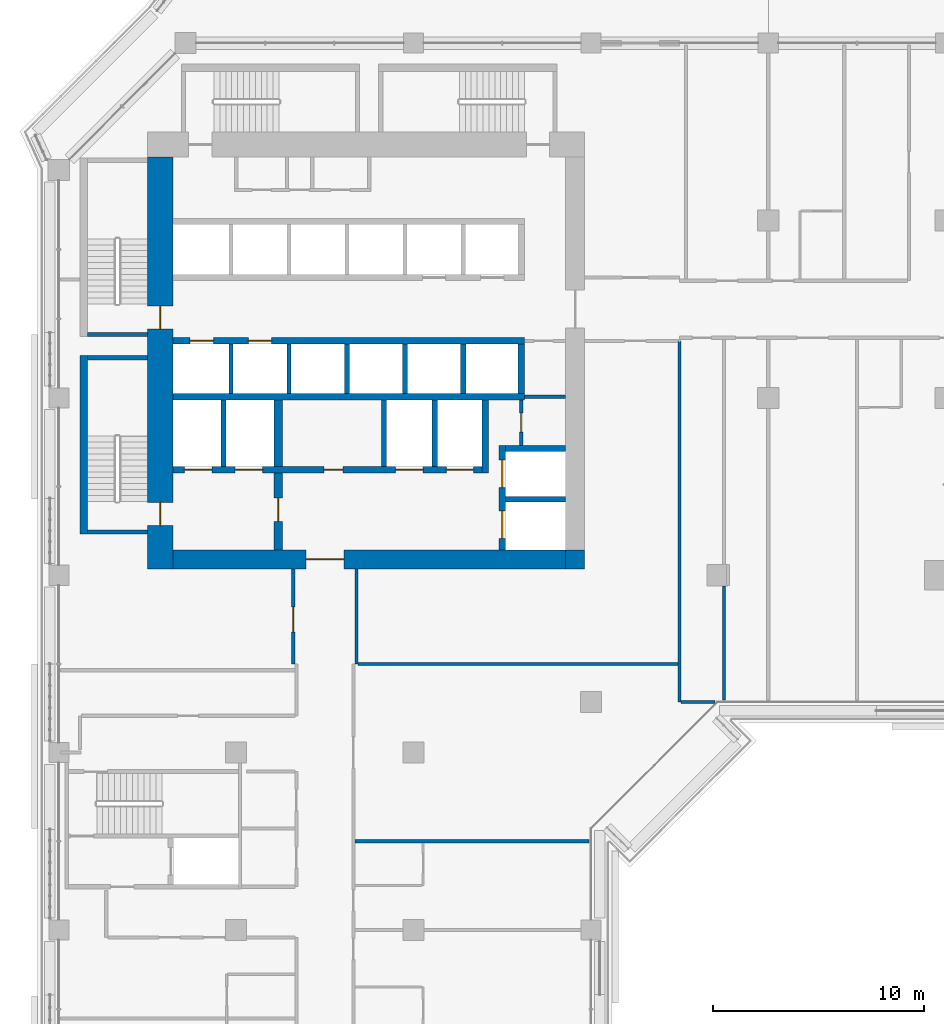
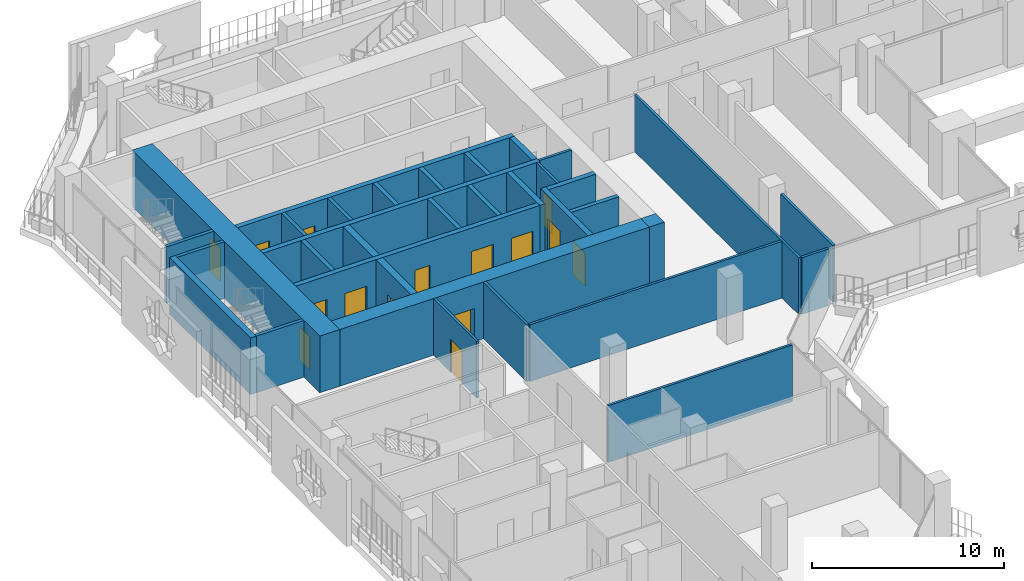
# One storey, part 12 of 24: 34 walls, 15 doors, 15 openings.
"""IFC4 building model written with IfcOpenShell, lengths in metres."""

from ifc_helpers import new_model, si_unit, direction, frame, frame_2d, origin, place, context, subcontext, project, spatial, rectangle, extrude, material, layer, layer_set, type_object, element, fill, save


model = new_model("IFC4")

# Units and contexts
model_context = context("Model", 3, precision=1e-05, world=origin(), true_north=direction((0.0, 1.0)))
body_context = subcontext(model_context, "Body", "Model", "MODEL_VIEW")
ifc_project = project(units=[si_unit("LENGTHUNIT", "METRE"), si_unit("AREAUNIT", "SQUARE_METRE"), si_unit("VOLUMEUNIT", "CUBIC_METRE"), si_unit("PLANEANGLEUNIT", "RADIAN"), si_unit("MASSUNIT", "GRAM", prefix="KILO")], contexts=[model_context])

# Site, building, storey
site_placement = place(None, origin())
site = spatial("IfcSite", under=ifc_project, at=site_placement, CompositionType="ELEMENT")
building_placement = place(site_placement, origin())
building = spatial("IfcBuilding", under=site, at=building_placement, Name="Kawkab Arch Medical Tower", CompositionType="ELEMENT")
storey_placement = place(building_placement, frame((0.0, 0.0, 162.60009765625)))
storey = spatial("IfcBuildingStorey", under=building, at=storey_placement, Name="L37", CompositionType="ELEMENT", Elevation=162.60009765625)

# Wall, openings, doors
ifc_material_1 = material(Name="Concrete C55/67", Category="concrete")
ifc_layer_1 = layer(ifc_material_1, 1.199951171875)
ifc_layer_set_1 = layer_set([ifc_layer_1], Name="Concrete C55/67")
wall_type_1 = type_object("IfcWallType", Name="Core ring wall 1200 C55/67", PredefinedType="SHEAR", material=ifc_layer_set_1)
wall_1_placement = place(storey_placement, frame((4.800048828125, -24.89990234375, 0.0), z_axis=(0.0, 0.0, 1.0), x_axis=(0.0, 1.0, 0.0)))
wall_1 = element("IfcWall", 1, at=wall_1_placement, inside=storey, type_object=wall_type_1, Name="L37 core wall", PredefinedType="SHEAR", context=body_context, shape_type="SweptSolid", body=[
    extrude(rectangle(XDim=19.5, YDim=1.199951171875, at=frame_2d((9.75, 0.0))), origin(), (0.0, 0.0, 1.0), 3.599853515625),
])
opening_1_placement = place(wall_1_placement, frame((11.35009765625, 0.0, 0.0)))
opening_1 = element("IfcOpeningElement", 2, at=opening_1_placement, cuts=wall_1, Name="Opening SD", PredefinedType="OPENING", context=body_context, shape_type="SweptSolid", body=[
    extrude(rectangle(XDim=1.10009765625, YDim=2.10009765625, at=frame_2d((0.550048828125, 1.050048828125))), frame((0.0, 0.60986328125, 0.0), z_axis=(0.0, -1.0, 0.0), x_axis=(1.0, 0.0, 0.0)), (0.0, 0.0, 1.0), 1.219970703125),
])
opening_2_placement = place(wall_1_placement, frame((2.050048828125, 0.0, 0.0)))
opening_2 = element("IfcOpeningElement", 3, at=opening_2_placement, cuts=wall_1, Name="Opening SD", PredefinedType="OPENING", context=body_context, shape_type="SweptSolid", body=[
    extrude(rectangle(XDim=1.10009765625, YDim=2.10009765625, at=frame_2d((0.550048828125, 1.050048828125))), frame((0.0, 0.60986328125, 0.0), z_axis=(0.0, -1.0, 0.0), x_axis=(1.0, 0.0, 0.0)), (0.0, 0.0, 1.0), 1.219970703125),
])
ifc_material_2 = material(Name="Hollow metal fire door leaf")
door_type_1 = type_object("IfcDoorType", Name="Exit stair door 1100", OperationType="SINGLE_SWING_LEFT", PredefinedType="DOOR", material=ifc_material_2)
door_1_placement = place(opening_1_placement, origin())
door_1 = element("IfcDoor", 4, at=door_1_placement, inside=storey, type_object=door_type_1, Name="L37 Exit stair ST1 door", OperationType="SINGLE_SWING_LEFT", OverallHeight=2.10009765625, OverallWidth=1.10009765625, PredefinedType="DOOR", context=body_context, shape_type="SweptSolid", body=[
    extrude(rectangle(XDim=1.10009765625, YDim=2.10009765625, at=frame_2d((0.550048828125, 1.050048828125))), frame((0.0, 0.02490234375, 0.0), z_axis=(0.0, -1.0, 0.0), x_axis=(1.0, 0.0, 0.0)), (0.0, 0.0, 1.0), 0.050048828125),
])
fill(opening_1, door_1)
door_2_placement = place(opening_2_placement, origin())
door_2 = element("IfcDoor", 5, at=door_2_placement, inside=storey, type_object=door_type_1, Name="L37 Exit stair ST2 door", OperationType="SINGLE_SWING_LEFT", OverallHeight=2.10009765625, OverallWidth=1.10009765625, PredefinedType="DOOR", context=body_context, shape_type="SweptSolid", body=[
    extrude(rectangle(XDim=1.10009765625, YDim=2.10009765625, at=frame_2d((0.550048828125, 1.050048828125))), frame((0.0, 0.02490234375, 0.0), z_axis=(0.0, -1.0, 0.0), x_axis=(1.0, 0.0, 0.0)), (0.0, 0.0, 1.0), 0.050048828125),
])
fill(opening_2, door_2)

# Wall, opening, door
ifc_material_3 = material(Name="Concrete C55/67", Category="concrete")
ifc_layer_2 = layer(ifc_material_3, 0.89990234375)
ifc_layer_set_2 = layer_set([ifc_layer_2], Name="Concrete C55/67")
wall_type_2 = type_object("IfcWallType", Name="Core ring wall 900 C55/67", PredefinedType="SHEAR", material=ifc_layer_set_2)
wall_2_placement = place(storey_placement, frame((5.39990234375, -24.449951171875, 0.0), z_axis=(0.0, 0.0, 1.0), x_axis=(1.0, 0.0, 0.0)))
wall_2 = element("IfcWall", 6, at=wall_2_placement, inside=storey, type_object=wall_type_2, Name="L37 core wall", PredefinedType="SHEAR", context=body_context, shape_type="SweptSolid", body=[
    extrude(rectangle(XDim=18.60009765625, YDim=0.89990234375, at=frame_2d((9.300048828125, 0.0))), origin(), (0.0, 0.0, 1.0), 3.599853515625),
])
opening_3_placement = place(wall_2_placement, frame((6.300048828125, 0.0, 0.0)))
opening_3 = element("IfcOpeningElement", 7, at=opening_3_placement, cuts=wall_2, Name="Opening PD", PredefinedType="OPENING", context=body_context, shape_type="SweptSolid", body=[
    extrude(rectangle(XDim=1.800048828125, YDim=2.10009765625, at=frame_2d((0.89990234375, 1.050048828125))), frame((0.0, 0.4599609375, 0.0), z_axis=(0.0, -1.0, 0.0), x_axis=(1.0, 0.0, 0.0)), (0.0, 0.0, 1.0), 0.919921875),
])
ifc_material_4 = material(Name="Hollow metal fire door leaf")
door_type_2 = type_object("IfcDoorType", Name="Core entrance doors 1800", OperationType="DOUBLE_DOOR_SINGLE_SWING", PredefinedType="DOOR", material=ifc_material_4)
door_3_placement = place(opening_3_placement, origin())
door_3 = element("IfcDoor", 8, at=door_3_placement, inside=storey, type_object=door_type_2, Name="L37 South entrance doors", OperationType="DOUBLE_DOOR_SINGLE_SWING", OverallHeight=2.10009765625, OverallWidth=1.800048828125, PredefinedType="DOOR", context=body_context, shape_type="SweptSolid", body=[
    extrude(rectangle(XDim=1.800048828125, YDim=2.10009765625, at=frame_2d((0.89990234375, 1.050048828125))), frame((0.0, 0.02490234375, 0.0), z_axis=(0.0, -1.0, 0.0), x_axis=(1.0, 0.0, 0.0)), (0.0, 0.0, 1.0), 0.050048828125),
])
fill(opening_3, door_3)

# Wall
wall_3_placement = place(storey_placement, frame((24.449951171875, -24.89990234375, 0.0), z_axis=(0.0, 0.0, 1.0), x_axis=(0.0, 1.0, 0.0)))
element("IfcWall", 9, at=wall_3_placement, inside=storey, type_object=wall_type_2, Name="L37 core wall", PredefinedType="SHEAR", context=body_context, shape_type="SweptSolid", body=[
    extrude(rectangle(XDim=0.89990234375, YDim=0.89990234375, at=frame_2d((0.449951171875, 0.0))), origin(), (0.0, 0.0, 1.0), 3.599853515625),
])

# Wall, opening, door
ifc_material_5 = material(Name="Gypsum board on steel studs", Category="steel")
ifc_layer_3 = layer(ifc_material_5, 0.14990234375)
ifc_layer_set_3 = layer_set([ifc_layer_3], Name="Gypsum board on steel studs")
wall_type_3 = type_object("IfcWallType", Name="Core room partition 150", PredefinedType="PARTITIONING", material=ifc_layer_set_3)
wall_4_placement = place(storey_placement, frame((21.89990234375, -19.050048828125, 0.0), z_axis=(0.0, 0.0, 1.0), x_axis=(0.0, 1.0, 0.0)))
wall_4 = element("IfcWall", 10, at=wall_4_placement, inside=storey, type_object=wall_type_3, Name="L37 core room partition", PredefinedType="PARTITIONING", context=body_context, shape_type="SweptSolid", body=[
    extrude(rectangle(XDim=2.150146484375, YDim=0.14990234375, at=frame_2d((1.0751953125, 0.0))), origin(), (0.0, 0.0, 1.0), 3.599853515625),
])
opening_4_placement = place(wall_4_placement, frame((0.625, 0.0, 0.0)))
opening_4 = element("IfcOpeningElement", 11, at=opening_4_placement, cuts=wall_4, Name="Opening RD", PredefinedType="OPENING", context=body_context, shape_type="SweptSolid", body=[
    extrude(rectangle(XDim=0.89990234375, YDim=2.10009765625, at=frame_2d((0.449951171875, 1.050048828125))), frame((0.0, 0.0849609375, 0.0), z_axis=(0.0, -1.0, 0.0), x_axis=(1.0, 0.0, 0.0)), (0.0, 0.0, 1.0), 0.169921875),
])
ifc_material_6 = material(Name="Hollow metal fire door leaf")
door_type_3 = type_object("IfcDoorType", Name="Core room door 900", OperationType="SINGLE_SWING_LEFT", PredefinedType="DOOR", material=ifc_material_6)
door_4_placement = place(opening_4_placement, origin())
door_4 = element("IfcDoor", 12, at=door_4_placement, inside=storey, type_object=door_type_3, Name="L37 Accessible WC door", OperationType="SINGLE_SWING_LEFT", OverallHeight=2.10009765625, OverallWidth=0.89990234375, PredefinedType="DOOR", context=body_context, shape_type="SweptSolid", body=[
    extrude(rectangle(XDim=0.89990234375, YDim=2.10009765625, at=frame_2d((0.449951171875, 1.050048828125))), frame((0.0, 0.02490234375, 0.0), z_axis=(0.0, -1.0, 0.0), x_axis=(1.0, 0.0, 0.0)), (0.0, 0.0, 1.0), 0.050048828125),
])
fill(opening_4, door_4)

# Walls
wall_5_placement = place(storey_placement, frame((22.050048828125, -16.75, 0.0), z_axis=(0.0, 0.0, 1.0), x_axis=(1.0, 0.0, 0.0)))
element("IfcWall", 13, at=wall_5_placement, inside=storey, type_object=wall_type_3, Name="L37 core room partition", PredefinedType="PARTITIONING", context=body_context, shape_type="SweptSolid", body=[
    extrude(rectangle(XDim=1.949951171875, YDim=0.14990234375, at=frame_2d((0.97509765625, 0.0))), origin(), (0.0, 0.0, 1.0), 3.599853515625),
])
ifc_material_7 = material(Name="Concrete C60/75", Category="concrete")
ifc_layer_4 = layer(ifc_material_7, 0.25)
ifc_layer_set_4 = layer_set([ifc_layer_4], Name="Concrete C60/75")
wall_type_4 = type_object("IfcWallType", Name="Core shear wall 250 C60/75", PredefinedType="SHEAR", material=ifc_layer_set_4)
wall_6_placement = place(storey_placement, frame((21.14990234375, -21.60009765625, 0.0), z_axis=(0.0, 0.0, 1.0), x_axis=(1.0, 0.0, 0.0)))
element("IfcWall", 14, at=wall_6_placement, inside=storey, type_object=wall_type_4, Name="L37 core shear wall", PredefinedType="SHEAR", context=body_context, shape_type="SweptSolid", body=[
    extrude(rectangle(XDim=2.85009765625, YDim=0.25, at=frame_2d((1.425048828125, 0.0))), origin(), (0.0, 0.0, 1.0), 3.599853515625),
])
for number, where, z_axis, x_axis, name in (
    (15, (7.800048828125, -20.050048828125, 0.0), (0.0, 0.0, 1.0), (0.0, 1.0, 0.0), "L37 core shear wall"),
    (16, (15.39990234375, -20.050048828125, 0.0), (0.0, 0.0, 1.0), (0.0, 1.0, 0.0), "L37 core shear wall"),
    (17, (17.800048828125, -20.050048828125, 0.0), (0.0, 0.0, 1.0), (0.0, 1.0, 0.0), "L37 core shear wall"),
):
    element("IfcWall", number, at=place(storey_placement, frame(where, z_axis=z_axis, x_axis=x_axis)), inside=storey, type_object=wall_type_4, Name=name, PredefinedType="SHEAR", context=body_context, shape_type="SweptSolid", body=[
        extrude(rectangle(XDim=3.150146484375, YDim=0.25, at=frame_2d((1.5751953125, 0.0))), origin(), (0.0, 0.0, 1.0), 3.599853515625),
    ])
for number, where, z_axis, x_axis, name in (
    (18, (13.64990234375, -16.60009765625, 0.0), (0.0, 0.0, 1.0), (0.0, 1.0, 0.0), "L37 core shear wall"),
    (19, (16.39990234375, -16.60009765625, 0.0), (0.0, 0.0, 1.0), (0.0, 1.0, 0.0), "L37 core shear wall"),
    (20, (19.14990234375, -16.60009765625, 0.0), (0.0, 0.0, 1.0), (0.0, 1.0, 0.0), "L37 core shear wall"),
):
    element("IfcWall", number, at=place(storey_placement, frame(where, z_axis=z_axis, x_axis=x_axis)), inside=storey, type_object=wall_type_4, Name=name, PredefinedType="SHEAR", context=body_context, shape_type="SweptSolid", body=[
        extrude(rectangle(XDim=2.35009765625, YDim=0.25, at=frame_2d((1.175048828125, 0.0))), origin(), (0.0, 0.0, 1.0), 3.599853515625),
    ])

# Wall, openings, doors
ifc_material_8 = material(Name="Concrete C60/75", Category="concrete")
ifc_layer_5 = layer(ifc_material_8, 0.300048828125)
ifc_layer_set_5 = layer_set([ifc_layer_5], Name="Concrete C60/75")
wall_type_5 = type_object("IfcWallType", Name="Core shear wall 300 C60/75", PredefinedType="SHEAR", material=ifc_layer_set_5)
wall_7_placement = place(storey_placement, frame((5.39990234375, -14.10009765625, 0.0), z_axis=(0.0, 0.0, 1.0), x_axis=(1.0, 0.0, 0.0)))
wall_7 = element("IfcWall", 21, at=wall_7_placement, inside=storey, type_object=wall_type_5, Name="L37 core shear wall", PredefinedType="SHEAR", context=body_context, shape_type="SweptSolid", body=[
    extrude(rectangle(XDim=16.650146484375, YDim=0.300048828125, at=frame_2d((8.3251953125, 0.0))), origin(), (0.0, 0.0, 1.0), 3.599853515625),
])
opening_5_placement = place(wall_7_placement, frame((0.824951171875, 0.0, 0.0)))
opening_5 = element("IfcOpeningElement", 22, at=opening_5_placement, cuts=wall_7, Name="Opening LD1", PredefinedType="OPENING", context=body_context, shape_type="SweptSolid", body=[
    extrude(rectangle(XDim=1.10009765625, YDim=2.10009765625, at=frame_2d((0.550048828125, 1.050048828125))), frame((0.0, 0.159912109375, 0.0), z_axis=(0.0, -1.0, 0.0), x_axis=(1.0, 0.0, 0.0)), (0.0, 0.0, 1.0), 0.320068359375),
])
opening_6_placement = place(wall_7_placement, frame((3.574951171875, 0.0, 0.0)))
opening_6 = element("IfcOpeningElement", 23, at=opening_6_placement, cuts=wall_7, Name="Opening LD1", PredefinedType="OPENING", context=body_context, shape_type="SweptSolid", body=[
    extrude(rectangle(XDim=1.10009765625, YDim=2.10009765625, at=frame_2d((0.550048828125, 1.050048828125))), frame((0.0, 0.159912109375, 0.0), z_axis=(0.0, -1.0, 0.0), x_axis=(1.0, 0.0, 0.0)), (0.0, 0.0, 1.0), 0.320068359375),
])
ifc_material_9 = material(Name="Stainless steel lift door leaf", Category="steel")
door_type_4 = type_object("IfcDoorType", Name="Lift landing door 1100", OperationType="DOUBLE_DOOR_SLIDING", PredefinedType="DOOR", material=ifc_material_9)
door_5_placement = place(opening_5_placement, origin())
door_5 = element("IfcDoor", 24, at=door_5_placement, inside=storey, type_object=door_type_4, Name="L37 Lift landing door MP3", OperationType="DOUBLE_DOOR_SLIDING", OverallHeight=2.10009765625, OverallWidth=1.10009765625, PredefinedType="DOOR", context=body_context, shape_type="SweptSolid", body=[
    extrude(rectangle(XDim=1.10009765625, YDim=2.10009765625, at=frame_2d((0.550048828125, 1.050048828125))), frame((0.0, 0.02490234375, 0.0), z_axis=(0.0, -1.0, 0.0), x_axis=(1.0, 0.0, 0.0)), (0.0, 0.0, 1.0), 0.050048828125),
])
fill(opening_5, door_5)
door_6_placement = place(opening_6_placement, origin())
door_6 = element("IfcDoor", 25, at=door_6_placement, inside=storey, type_object=door_type_4, Name="L37 Lift landing door MP4", OperationType="DOUBLE_DOOR_SLIDING", OverallHeight=2.10009765625, OverallWidth=1.10009765625, PredefinedType="DOOR", context=body_context, shape_type="SweptSolid", body=[
    extrude(rectangle(XDim=1.10009765625, YDim=2.10009765625, at=frame_2d((0.550048828125, 1.050048828125))), frame((0.0, 0.02490234375, 0.0), z_axis=(0.0, -1.0, 0.0), x_axis=(1.0, 0.0, 0.0)), (0.0, 0.0, 1.0), 0.050048828125),
])
fill(opening_6, door_6)

# Wall
wall_8_placement = place(storey_placement, frame((5.39990234375, -16.75, 0.0), z_axis=(0.0, 0.0, 1.0), x_axis=(1.0, 0.0, 0.0)))
element("IfcWall", 26, at=wall_8_placement, inside=storey, type_object=wall_type_5, Name="L37 core shear wall", PredefinedType="SHEAR", context=body_context, shape_type="SweptSolid", body=[
    extrude(rectangle(XDim=16.650146484375, YDim=0.300048828125, at=frame_2d((8.3251953125, 0.0))), origin(), (0.0, 0.0, 1.0), 3.599853515625),
])

# Wall, openings, doors
wall_9_placement = place(storey_placement, frame((5.39990234375, -20.199951171875, 0.0), z_axis=(0.0, 0.0, 1.0), x_axis=(1.0, 0.0, 0.0)))
wall_9 = element("IfcWall", 27, at=wall_9_placement, inside=storey, type_object=wall_type_5, Name="L37 core shear wall", PredefinedType="SHEAR", context=body_context, shape_type="SweptSolid", body=[
    extrude(rectangle(XDim=14.650146484375, YDim=0.300048828125, at=frame_2d((7.3251953125, 0.0))), origin(), (0.0, 0.0, 1.0), 3.599853515625),
])
opening_7_placement = place(wall_9_placement, frame((10.550048828125, 0.0, 0.0)))
opening_7 = element("IfcOpeningElement", 28, at=opening_7_placement, cuts=wall_9, Name="Opening LD2", PredefinedType="OPENING", context=body_context, shape_type="SweptSolid", body=[
    extrude(rectangle(XDim=1.300048828125, YDim=2.10009765625, at=frame_2d((0.64990234375, 1.050048828125))), frame((0.0, 0.159912109375, 0.0), z_axis=(0.0, -1.0, 0.0), x_axis=(1.0, 0.0, 0.0)), (0.0, 0.0, 1.0), 0.320068359375),
])
opening_8_placement = place(wall_9_placement, frame((12.949951171875, 0.0, 0.0)))
opening_8 = element("IfcOpeningElement", 29, at=opening_8_placement, cuts=wall_9, Name="Opening LD2", PredefinedType="OPENING", context=body_context, shape_type="SweptSolid", body=[
    extrude(rectangle(XDim=1.300048828125, YDim=2.10009765625, at=frame_2d((0.64990234375, 1.050048828125))), frame((0.0, 0.159912109375, 0.0), z_axis=(0.0, -1.0, 0.0), x_axis=(1.0, 0.0, 0.0)), (0.0, 0.0, 1.0), 0.320068359375),
])
opening_9_placement = place(wall_9_placement, frame((0.550048828125, 0.0, 0.0)))
opening_9 = element("IfcOpeningElement", 30, at=opening_9_placement, cuts=wall_9, Name="Opening LD2", PredefinedType="OPENING", context=body_context, shape_type="SweptSolid", body=[
    extrude(rectangle(XDim=1.300048828125, YDim=2.10009765625, at=frame_2d((0.64990234375, 1.050048828125))), frame((0.0, 0.159912109375, 0.0), z_axis=(0.0, -1.0, 0.0), x_axis=(1.0, 0.0, 0.0)), (0.0, 0.0, 1.0), 0.320068359375),
])
opening_10_placement = place(wall_9_placement, frame((2.949951171875, 0.0, 0.0)))
opening_10 = element("IfcOpeningElement", 31, at=opening_10_placement, cuts=wall_9, Name="Opening LD2", PredefinedType="OPENING", context=body_context, shape_type="SweptSolid", body=[
    extrude(rectangle(XDim=1.300048828125, YDim=2.10009765625, at=frame_2d((0.64990234375, 1.050048828125))), frame((0.0, 0.159912109375, 0.0), z_axis=(0.0, -1.0, 0.0), x_axis=(1.0, 0.0, 0.0)), (0.0, 0.0, 1.0), 0.320068359375),
])
opening_11_placement = place(wall_9_placement, frame((7.14990234375, 0.0, 0.0)))
opening_11 = element("IfcOpeningElement", 32, at=opening_11_placement, cuts=wall_9, Name="Opening RD", PredefinedType="OPENING", context=body_context, shape_type="SweptSolid", body=[
    extrude(rectangle(XDim=0.89990234375, YDim=2.10009765625, at=frame_2d((0.449951171875, 1.050048828125))), frame((0.0, 0.159912109375, 0.0), z_axis=(0.0, -1.0, 0.0), x_axis=(1.0, 0.0, 0.0)), (0.0, 0.0, 1.0), 0.320068359375),
])
door_7_placement = place(opening_11_placement, origin())
door_7 = element("IfcDoor", 33, at=door_7_placement, inside=storey, type_object=door_type_3, Name="L37 Linen store door", OperationType="SINGLE_SWING_LEFT", OverallHeight=2.10009765625, OverallWidth=0.89990234375, PredefinedType="DOOR", context=body_context, shape_type="SweptSolid", body=[
    extrude(rectangle(XDim=0.89990234375, YDim=2.10009765625, at=frame_2d((0.449951171875, 1.050048828125))), frame((0.0, 0.02490234375, 0.0), z_axis=(0.0, -1.0, 0.0), x_axis=(1.0, 0.0, 0.0)), (0.0, 0.0, 1.0), 0.050048828125),
])
fill(opening_11, door_7)
ifc_material_10 = material(Name="Stainless steel lift door leaf", Category="steel")
door_type_5 = type_object("IfcDoorType", Name="Lift landing door 1300", OperationType="DOUBLE_DOOR_SLIDING", PredefinedType="DOOR", material=ifc_material_10)
door_8_placement = place(opening_7_placement, origin())
door_8 = element("IfcDoor", 34, at=door_8_placement, inside=storey, type_object=door_type_5, Name="L37 Lift landing door BD3", OperationType="DOUBLE_DOOR_SLIDING", OverallHeight=2.10009765625, OverallWidth=1.300048828125, PredefinedType="DOOR", context=body_context, shape_type="SweptSolid", body=[
    extrude(rectangle(XDim=1.300048828125, YDim=2.10009765625, at=frame_2d((0.64990234375, 1.050048828125))), frame((0.0, 0.02490234375, 0.0), z_axis=(0.0, -1.0, 0.0), x_axis=(1.0, 0.0, 0.0)), (0.0, 0.0, 1.0), 0.050048828125),
])
fill(opening_7, door_8)
door_9_placement = place(opening_8_placement, origin())
door_9 = element("IfcDoor", 35, at=door_9_placement, inside=storey, type_object=door_type_5, Name="L37 Lift landing door BD4", OperationType="DOUBLE_DOOR_SLIDING", OverallHeight=2.10009765625, OverallWidth=1.300048828125, PredefinedType="DOOR", context=body_context, shape_type="SweptSolid", body=[
    extrude(rectangle(XDim=1.300048828125, YDim=2.10009765625, at=frame_2d((0.64990234375, 1.050048828125))), frame((0.0, 0.02490234375, 0.0), z_axis=(0.0, -1.0, 0.0), x_axis=(1.0, 0.0, 0.0)), (0.0, 0.0, 1.0), 0.050048828125),
])
fill(opening_8, door_9)
door_10_placement = place(opening_9_placement, origin())
door_10 = element("IfcDoor", 36, at=door_10_placement, inside=storey, type_object=door_type_5, Name="L37 Lift landing door FL1", OperationType="DOUBLE_DOOR_SLIDING", OverallHeight=2.10009765625, OverallWidth=1.300048828125, PredefinedType="DOOR", context=body_context, shape_type="SweptSolid", body=[
    extrude(rectangle(XDim=1.300048828125, YDim=2.10009765625, at=frame_2d((0.64990234375, 1.050048828125))), frame((0.0, 0.02490234375, 0.0), z_axis=(0.0, -1.0, 0.0), x_axis=(1.0, 0.0, 0.0)), (0.0, 0.0, 1.0), 0.050048828125),
])
fill(opening_9, door_10)
door_11_placement = place(opening_10_placement, origin())
door_11 = element("IfcDoor", 37, at=door_11_placement, inside=storey, type_object=door_type_5, Name="L37 Lift landing door FL2", OperationType="DOUBLE_DOOR_SLIDING", OverallHeight=2.10009765625, OverallWidth=1.300048828125, PredefinedType="DOOR", context=body_context, shape_type="SweptSolid", body=[
    extrude(rectangle(XDim=1.300048828125, YDim=2.10009765625, at=frame_2d((0.64990234375, 1.050048828125))), frame((0.0, 0.02490234375, 0.0), z_axis=(0.0, -1.0, 0.0), x_axis=(1.0, 0.0, 0.0)), (0.0, 0.0, 1.0), 0.050048828125),
])
fill(opening_10, door_11)

# Walls
wall_10_placement = place(storey_placement, frame((20.199951171875, -20.35009765625, 0.0), z_axis=(0.0, 0.0, 1.0), x_axis=(0.0, 1.0, 0.0)))
element("IfcWall", 38, at=wall_10_placement, inside=storey, type_object=wall_type_5, Name="L37 core shear wall", PredefinedType="SHEAR", context=body_context, shape_type="SweptSolid", body=[
    extrude(rectangle(XDim=3.4501953125, YDim=0.300048828125, at=frame_2d((1.72509765625, 0.0))), origin(), (0.0, 0.0, 1.0), 3.599853515625),
])
wall_11_placement = place(storey_placement, frame((21.89990234375, -16.60009765625, 0.0), z_axis=(0.0, 0.0, 1.0), x_axis=(0.0, 1.0, 0.0)))
element("IfcWall", 39, at=wall_11_placement, inside=storey, type_object=wall_type_5, Name="L37 core shear wall", PredefinedType="SHEAR", context=body_context, shape_type="SweptSolid", body=[
    extrude(rectangle(XDim=2.35009765625, YDim=0.300048828125, at=frame_2d((1.175048828125, 0.0))), origin(), (0.0, 0.0, 1.0), 3.599853515625),
])
wall_12_placement = place(storey_placement, frame((21.14990234375, -19.199951171875, 0.0), z_axis=(0.0, 0.0, 1.0), x_axis=(1.0, 0.0, 0.0)))
element("IfcWall", 40, at=wall_12_placement, inside=storey, type_object=wall_type_5, Name="L37 core shear wall", PredefinedType="SHEAR", context=body_context, shape_type="SweptSolid", body=[
    extrude(rectangle(XDim=2.85009765625, YDim=0.300048828125, at=frame_2d((1.425048828125, 0.0))), origin(), (0.0, 0.0, 1.0), 3.599853515625),
])

# Wall, openings, doors
wall_13_placement = place(storey_placement, frame((21.0, -24.0, 0.0), z_axis=(0.0, 0.0, 1.0), x_axis=(0.0, 1.0, 0.0)))
wall_13 = element("IfcWall", 41, at=wall_13_placement, inside=storey, type_object=wall_type_5, Name="L37 core shear wall", PredefinedType="SHEAR", context=body_context, shape_type="SweptSolid", body=[
    extrude(rectangle(XDim=4.949951171875, YDim=0.300048828125, at=frame_2d((2.47509765625, 0.0))), origin(), (0.0, 0.0, 1.0), 3.599853515625),
])
opening_12_placement = place(wall_13_placement, frame((2.949951171875, 0.0, 0.0)))
opening_12 = element("IfcOpeningElement", 42, at=opening_12_placement, cuts=wall_13, Name="Opening LD2", PredefinedType="OPENING", context=body_context, shape_type="SweptSolid", body=[
    extrude(rectangle(XDim=1.300048828125, YDim=2.10009765625, at=frame_2d((0.64990234375, 1.050048828125))), frame((0.0, 0.159912109375, 0.0), z_axis=(0.0, -1.0, 0.0), x_axis=(1.0, 0.0, 0.0)), (0.0, 0.0, 1.0), 0.320068359375),
])
opening_13_placement = place(wall_13_placement, frame((0.550048828125, 0.0, 0.0)))
opening_13 = element("IfcOpeningElement", 43, at=opening_13_placement, cuts=wall_13, Name="Opening LD2", PredefinedType="OPENING", context=body_context, shape_type="SweptSolid", body=[
    extrude(rectangle(XDim=1.300048828125, YDim=2.10009765625, at=frame_2d((0.64990234375, 1.050048828125))), frame((0.0, 0.159912109375, 0.0), z_axis=(0.0, -1.0, 0.0), x_axis=(1.0, 0.0, 0.0)), (0.0, 0.0, 1.0), 0.320068359375),
])
door_12_placement = place(opening_12_placement, origin())
door_12 = element("IfcDoor", 44, at=door_12_placement, inside=storey, type_object=door_type_5, Name="L37 Lift landing door BD1", OperationType="DOUBLE_DOOR_SLIDING", OverallHeight=2.10009765625, OverallWidth=1.300048828125, PredefinedType="DOOR", context=body_context, shape_type="SweptSolid", body=[
    extrude(rectangle(XDim=1.300048828125, YDim=2.10009765625, at=frame_2d((0.64990234375, 1.050048828125))), frame((0.0, 0.02490234375, 0.0), z_axis=(0.0, -1.0, 0.0), x_axis=(1.0, 0.0, 0.0)), (0.0, 0.0, 1.0), 0.050048828125),
])
fill(opening_12, door_12)
door_13_placement = place(opening_13_placement, origin())
door_13 = element("IfcDoor", 45, at=door_13_placement, inside=storey, type_object=door_type_5, Name="L37 Lift landing door BD2", OperationType="DOUBLE_DOOR_SLIDING", OverallHeight=2.10009765625, OverallWidth=1.300048828125, PredefinedType="DOOR", context=body_context, shape_type="SweptSolid", body=[
    extrude(rectangle(XDim=1.300048828125, YDim=2.10009765625, at=frame_2d((0.64990234375, 1.050048828125))), frame((0.0, 0.02490234375, 0.0), z_axis=(0.0, -1.0, 0.0), x_axis=(1.0, 0.0, 0.0)), (0.0, 0.0, 1.0), 0.050048828125),
])
fill(opening_13, door_13)

# Wall, opening, door
ifc_material_11 = material(Name="Concrete C60/75", Category="concrete")
ifc_layer_6 = layer(ifc_material_11, 0.39990234375)
ifc_layer_set_6 = layer_set([ifc_layer_6], Name="Concrete C60/75")
wall_type_6 = type_object("IfcWallType", Name="Core shear wall 400 C60/75", PredefinedType="SHEAR", material=ifc_layer_set_6)
wall_14_placement = place(storey_placement, frame((10.39990234375, -24.0, 0.0), z_axis=(0.0, 0.0, 1.0), x_axis=(0.0, 1.0, 0.0)))
wall_14 = element("IfcWall", 46, at=wall_14_placement, inside=storey, type_object=wall_type_6, Name="L37 core shear wall", PredefinedType="SHEAR", context=body_context, shape_type="SweptSolid", body=[
    extrude(rectangle(XDim=3.64990234375, YDim=0.39990234375, at=frame_2d((1.824951171875, 0.0))), origin(), (0.0, 0.0, 1.0), 3.599853515625),
])
opening_14_placement = place(wall_14_placement, frame((1.35009765625, 0.0, 0.0)))
opening_14 = element("IfcOpeningElement", 47, at=opening_14_placement, cuts=wall_14, Name="Opening FD", PredefinedType="OPENING", context=body_context, shape_type="SweptSolid", body=[
    extrude(rectangle(XDim=1.10009765625, YDim=2.10009765625, at=frame_2d((0.550048828125, 1.050048828125))), frame((0.0, 0.2099609375, 0.0), z_axis=(0.0, -1.0, 0.0), x_axis=(1.0, 0.0, 0.0)), (0.0, 0.0, 1.0), 0.419921875),
])
ifc_material_12 = material(Name="Hollow metal fire door leaf")
door_type_6 = type_object("IfcDoorType", Name="Firefighting lobby door 1100", OperationType="SINGLE_SWING_LEFT", PredefinedType="DOOR", material=ifc_material_12)
door_14_placement = place(opening_14_placement, origin())
door_14 = element("IfcDoor", 48, at=door_14_placement, inside=storey, type_object=door_type_6, Name="L37 Firefighting lobby door", OperationType="SINGLE_SWING_LEFT", OverallHeight=2.10009765625, OverallWidth=1.10009765625, PredefinedType="DOOR", context=body_context, shape_type="SweptSolid", body=[
    extrude(rectangle(XDim=1.10009765625, YDim=2.10009765625, at=frame_2d((0.550048828125, 1.050048828125))), frame((0.0, 0.02490234375, 0.0), z_axis=(0.0, -1.0, 0.0), x_axis=(1.0, 0.0, 0.0)), (0.0, 0.0, 1.0), 0.050048828125),
])
fill(opening_14, door_14)

# Walls
wall_15_placement = place(storey_placement, frame((10.39990234375, -20.050048828125, 0.0), z_axis=(0.0, 0.0, 1.0), x_axis=(0.0, 1.0, 0.0)))
element("IfcWall", 49, at=wall_15_placement, inside=storey, type_object=wall_type_6, Name="L37 core shear wall", PredefinedType="SHEAR", context=body_context, shape_type="SweptSolid", body=[
    extrude(rectangle(XDim=3.150146484375, YDim=0.39990234375, at=frame_2d((1.5751953125, 0.0))), origin(), (0.0, 0.0, 1.0), 3.599853515625),
])
ifc_material_13 = material(Name="Dense concrete blockwork", Category="masonry")
ifc_layer_7 = layer(ifc_material_13, 0.199951171875)
ifc_layer_set_7 = layer_set([ifc_layer_7], Name="Dense concrete blockwork")
wall_type_7 = type_object("IfcWallType", Name="Lift shaft partition 200", PredefinedType="PARTITIONING", material=ifc_layer_set_7)
for number, where, z_axis, x_axis, name in (
    (50, (8.14990234375, -16.60009765625, 0.0), (0.0, 0.0, 1.0), (0.0, 1.0, 0.0), "L37 lift shaft partition"),
    (51, (10.89990234375, -16.60009765625, 0.0), (0.0, 0.0, 1.0), (0.0, 1.0, 0.0), "L37 lift shaft partition"),
):
    element("IfcWall", number, at=place(storey_placement, frame(where, z_axis=z_axis, x_axis=x_axis)), inside=storey, type_object=wall_type_7, Name=name, PredefinedType="PARTITIONING", context=body_context, shape_type="SweptSolid", body=[
        extrude(rectangle(XDim=2.35009765625, YDim=0.199951171875, at=frame_2d((1.175048828125, 0.0))), origin(), (0.0, 0.0, 1.0), 3.599853515625),
    ])
ifc_material_14 = material(Name="Gypsum board partition on steel studs, mineral wool", Category="steel")
ifc_layer_8 = layer(ifc_material_14, 0.14990234375)
ifc_layer_set_8 = layer_set([ifc_layer_8], Name="Gypsum board partition on steel studs, mineral wool")
wall_type_8 = type_object("IfcWallType", Name="Partition 150", PredefinedType="PARTITIONING", material=ifc_layer_set_8)
wall_16_placement = place(storey_placement, frame((14.02490234375, -37.800048828125, 0.0), z_axis=(0.0, 0.0, 1.0), x_axis=(1.0, 0.0, 0.0)))
element("IfcWall", 52, at=wall_16_placement, inside=storey, type_object=wall_type_8, Name="Partition 150 w027", PredefinedType="PARTITIONING", context=body_context, shape_type="SweptSolid", body=[
    extrude(rectangle(XDim=11.09521484375, YDim=0.14990234375, at=frame_2d((5.547607421875, 0.0))), origin(), (0.0, 0.0, 1.0), 3.599853515625),
])
wall_17_placement = place(storey_placement, frame((29.47705078125, -31.199951171875, 0.0), z_axis=(0.0, 0.0, 1.0), x_axis=(1.0, 0.0, 0.0)))
element("IfcWall", 53, at=wall_17_placement, inside=storey, type_object=wall_type_8, Name="Partition 150 w032", PredefinedType="PARTITIONING", context=body_context, shape_type="SweptSolid", body=[
    extrude(rectangle(XDim=1.60986328125, YDim=0.14990234375, at=frame_2d((0.804931640625, 0.0))), origin(), (0.0, 0.0, 1.0), 3.599853515625),
])
wall_18_placement = place(storey_placement, frame((14.175048828125, -29.39990234375, 0.0), z_axis=(0.0, 0.0, 1.0), x_axis=(1.0, 0.0, 0.0)))
element("IfcWall", 54, at=wall_18_placement, inside=storey, type_object=wall_type_8, Name="Partition 150 w034", PredefinedType="PARTITIONING", context=body_context, shape_type="SweptSolid", body=[
    extrude(rectangle(XDim=15.14990234375, YDim=0.14990234375, at=frame_2d((7.574951171875, 0.0))), origin(), (0.0, 0.0, 1.0), 3.599853515625),
])

# Wall, opening, door
wall_19_placement = place(storey_placement, frame((11.10009765625, -29.39794921875, 0.0), z_axis=(0.0, 0.0, 1.0), x_axis=(0.0, 1.0, 0.0)))
wall_19 = element("IfcWall", 55, at=wall_19_placement, inside=storey, type_object=wall_type_8, Name="Partition 150 w047", PredefinedType="PARTITIONING", context=body_context, shape_type="SweptSolid", body=[
    extrude(rectangle(XDim=4.498046875, YDim=0.14990234375, at=frame_2d((2.2490234375, 0.0))), origin(), (0.0, 0.0, 1.0), 3.599853515625),
])
opening_15_placement = place(wall_19_placement, frame((1.4990234375, 0.0, 0.0)))
opening_15 = element("IfcOpeningElement", 56, at=opening_15_placement, cuts=wall_19, Name="Opening B37-041", PredefinedType="OPENING", context=body_context, shape_type="SweptSolid", body=[
    extrude(rectangle(XDim=1.199951171875, YDim=2.10009765625, at=frame_2d((0.60009765625, 1.050048828125))), frame((0.0, 0.0849609375, 0.0), z_axis=(0.0, -1.0, 0.0), x_axis=(1.0, 0.0, 0.0)), (0.0, 0.0, 1.0), 0.169921875),
])
ifc_material_15 = material(Name="Hollow metal door leaf")
door_type_7 = type_object("IfcDoorType", Name="Single door 1200x2100 FD30S", OperationType="NOTDEFINED", PredefinedType="DOOR", material=ifc_material_15)
door_15_placement = place(opening_15_placement, origin())
door_15 = element("IfcDoor", 57, at=door_15_placement, inside=storey, type_object=door_type_7, Name="Door B37-041", OperationType="SINGLE_SWING_LEFT", OverallHeight=2.10009765625, OverallWidth=1.199951171875, PredefinedType="DOOR", context=body_context, shape_type="SweptSolid", body=[
    extrude(rectangle(XDim=1.199951171875, YDim=2.10009765625, at=frame_2d((0.60009765625, 1.050048828125))), frame((0.0, 0.02490234375, 0.0), z_axis=(0.0, -1.0, 0.0), x_axis=(1.0, 0.0, 0.0)), (0.0, 0.0, 1.0), 0.050048828125),
])
fill(opening_15, door_15)

# Walls
wall_20_placement = place(storey_placement, frame((14.10009765625, -29.39990234375, 0.0), z_axis=(0.0, 0.0, 1.0), x_axis=(0.0, 1.0, 0.0)))
element("IfcWall", 58, at=wall_20_placement, inside=storey, type_object=wall_type_8, Name="Partition 150 w052", PredefinedType="PARTITIONING", context=body_context, shape_type="SweptSolid", body=[
    extrude(rectangle(XDim=4.5, YDim=0.14990234375, at=frame_2d((2.25, 0.0))), origin(), (0.0, 0.0, 1.0), 3.599853515625),
])
wall_21_placement = place(storey_placement, frame((29.39990234375, -31.197998046875, 0.0), z_axis=(0.0, 0.0, 1.0), x_axis=(0.0, 1.0, 0.0)))
element("IfcWall", 59, at=wall_21_placement, inside=storey, type_object=wall_type_8, Name="Partition 150 w053", PredefinedType="PARTITIONING", context=body_context, shape_type="SweptSolid", body=[
    extrude(rectangle(XDim=17.097900390625, YDim=0.14990234375, at=frame_2d((8.548828125, 0.0))), origin(), (0.0, 0.0, 1.0), 3.599853515625),
])
wall_22_placement = place(storey_placement, frame((31.5, -31.1201171875, 0.0), z_axis=(0.0, 0.0, 1.0), x_axis=(0.0, 1.0, 0.0)))
element("IfcWall", 60, at=wall_22_placement, inside=storey, type_object=wall_type_8, Name="Partition 150 w055", PredefinedType="PARTITIONING", context=body_context, shape_type="SweptSolid", body=[
    extrude(rectangle(XDim=5.418212890625, YDim=0.14990234375, at=frame_2d((2.708984375, 0.0))), origin(), (0.0, 0.0, 1.0), 3.599853515625),
])
ifc_material_16 = material(Name="Concrete C50/60", Category="concrete")
ifc_layer_9 = layer(ifc_material_16, 0.199951171875)
ifc_layer_set_9 = layer_set([ifc_layer_9], Name="Concrete C50/60")
wall_type_9 = type_object("IfcWallType", Name="Stair enclosure wall 200 C50/60", PredefinedType="SHEAR", material=ifc_layer_set_9)
for number, where, z_axis, x_axis, name in (
    (61, (1.35009765625, -13.800048828125, 0.0), (0.0, 0.0, 1.0), (1.0, 0.0, 0.0), "L37 stair enclosure wall"),
    (62, (1.35009765625, -14.89990234375, 0.0), (0.0, 0.0, 1.0), (1.0, 0.0, 0.0), "L37 stair enclosure wall"),
    (63, (1.35009765625, -23.14990234375, 0.0), (0.0, 0.0, 1.0), (1.0, 0.0, 0.0), "L37 stair enclosure wall"),
):
    element("IfcWall", number, at=place(storey_placement, frame(where, z_axis=z_axis, x_axis=x_axis)), inside=storey, type_object=wall_type_9, Name=name, PredefinedType="SHEAR", context=body_context, shape_type="SweptSolid", body=[
        extrude(rectangle(XDim=2.849853515625, YDim=0.199951171875, at=frame_2d((1.4248046875, 0.0))), origin(), (0.0, 0.0, 1.0), 3.599853515625),
    ])
ifc_material_17 = material(Name="Concrete C50/60", Category="concrete")
ifc_layer_10 = layer(ifc_material_17, 0.35009765625)
ifc_layer_set_10 = layer_set([ifc_layer_10], Name="Concrete C50/60")
wall_type_10 = type_object("IfcWallType", Name="Stair enclosure wall 350 C50/60", PredefinedType="SHEAR", material=ifc_layer_set_10)
wall_23_placement = place(storey_placement, frame((1.175048828125, -23.25, 0.0), z_axis=(0.0, 0.0, 1.0), x_axis=(0.0, 1.0, 0.0)))
element("IfcWall", 64, at=wall_23_placement, inside=storey, type_object=wall_type_10, Name="L37 stair enclosure wall", PredefinedType="SHEAR", context=body_context, shape_type="SweptSolid", body=[
    extrude(rectangle(XDim=8.449951171875, YDim=0.35009765625, at=frame_2d((4.22509765625, 0.0))), origin(), (0.0, 0.0, 1.0), 3.599853515625),
])

save(model, "model.ifc")
